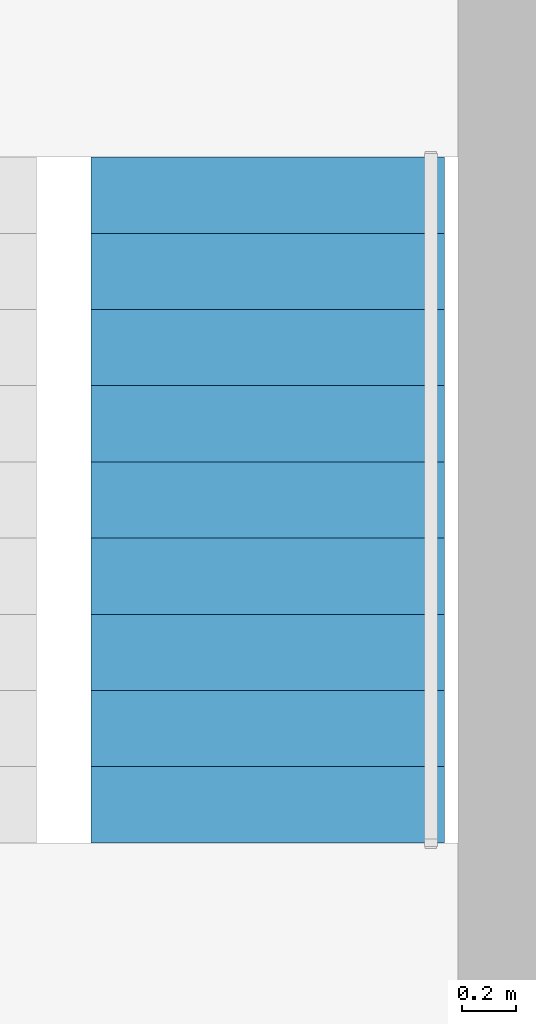
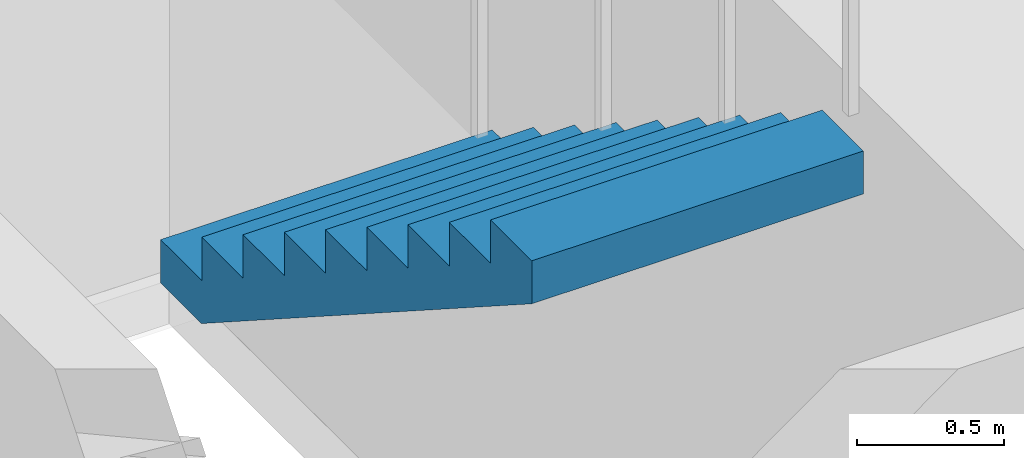
# One storey, part 7 of 8: 1 stair flight, 1 element without a shape of its own.
"""IFC4 building model written with IfcOpenShell, lengths in metres."""

from ifc_helpers import new_model, si_unit, direction, frame, origin, place, context, subcontext, project, spatial, polyline, outline, extrude, material, type_object, element, aggregate, save


model = new_model("IFC4")

# Units and contexts
model_context = context("Model", 3, precision=1e-05, world=origin(), true_north=direction((0.0, 1.0)))
body_context = subcontext(model_context, "Body", "Model", "MODEL_VIEW")
ifc_project = project(units=[si_unit("LENGTHUNIT", "METRE"), si_unit("AREAUNIT", "SQUARE_METRE"), si_unit("VOLUMEUNIT", "CUBIC_METRE"), si_unit("PLANEANGLEUNIT", "RADIAN"), si_unit("MASSUNIT", "GRAM", prefix="KILO")], contexts=[model_context])

# Site, building, storey
site_placement = place(None, origin())
site = spatial("IfcSite", under=ifc_project, at=site_placement, CompositionType="ELEMENT")
building_placement = place(site_placement, origin())
building = spatial("IfcBuilding", under=site, at=building_placement, Name="Nyansa Garden Tower", CompositionType="ELEMENT")
storey_placement = place(building_placement, frame((0.0, 0.0, 207.89990234375)))
storey = spatial("IfcBuildingStorey", under=building, at=storey_placement, Name="L56", CompositionType="ELEMENT", Elevation=207.89990234375)

# Stair, stair flight
ifc_material_1 = material(Name="Precast concrete C40/50", Category="concrete")
stair_type = type_object("IfcStairType", Name="Stair S2 180x280", PredefinedType="HALF_TURN_STAIR", material=ifc_material_1)
stair_placement = place(storey_placement, origin())
stair = element("IfcStair", 1, at=stair_placement, inside=storey, type_object=stair_type, Name="Stair S2 L56", PredefinedType="HALF_TURN_STAIR")
ifc_material_2 = material(Name="Precast concrete C40/50", Category="concrete")
stair_flight_type = type_object("IfcStairFlightType", Name="Stair flight S2 180x280x10", PredefinedType="STRAIGHT", material=ifc_material_2)
stair_flight_placement = place(storey_placement, frame((25.699951171875, 24.1201171875, 1.800048828125), z_axis=(0.0, 0.0, 1.0), x_axis=(0.0, -1.0, 0.0)))
stair_flight = element("IfcStairFlight", 2, at=stair_flight_placement, type_object=stair_flight_type, Name="S2 flight 2", NumberOfRisers=10, NumberOfTreads=9, PredefinedType="STRAIGHT", RiserHeight=0.18, TreadLength=0.28, context=body_context, shape_type="SweptSolid", body=[
    extrude(outline(polyline([(0.0, 0.0), (0.0, 0.179931640625), (0.280029296875, 0.179931640625), (0.280029296875, 0.360107421875), (0.56005859375, 0.360107421875), (0.56005859375, 0.5400390625), (0.840087890625, 0.5400390625), (0.840087890625, 0.719970703125), (1.1201171875, 0.719970703125), (1.1201171875, 0.89990234375), (1.39990234375, 0.89990234375), (1.39990234375, 1.080078125), (1.679931640625, 1.080078125), (1.679931640625, 1.260009765625), (1.9599609375, 1.260009765625), (1.9599609375, 1.43994140625), (2.239990234375, 1.43994140625), (2.239990234375, 1.6201171875), (2.52001953125, 1.6201171875), (2.52001953125, 1.800048828125), (2.52001953125, 1.44189453125), (0.277099609375, 0.0), (0.0, 0.0)])), frame((0.0, 0.64990234375, 0.0), z_axis=(0.0, -1.0, 0.0), x_axis=(1.0, 0.0, 0.0)), (0.0, 0.0, 1.0), 1.300048828125),
])
aggregate(stair, [stair_flight])

save(model, "model.ifc")
